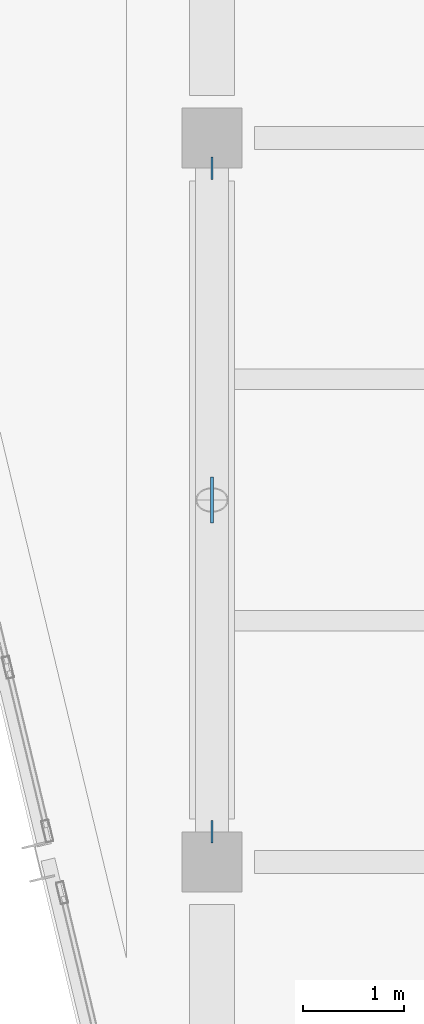
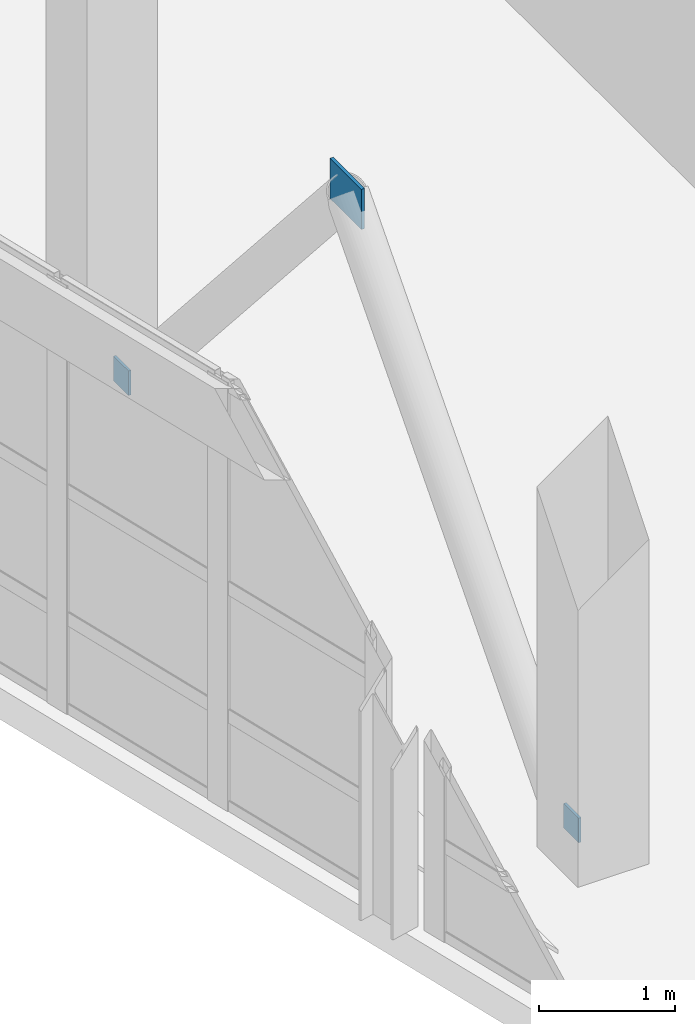
# One storey, part 87 of 123: 3 plates.
"""IFC4 building model written with IfcOpenShell, lengths in metres."""

from ifc_helpers import new_model, si_unit, direction, frame, origin, origin_2d, place, context, subcontext, project, spatial, rectangle, extrude, material, layer, layer_set, type_object, element, save


model = new_model("IFC4")

# Units and contexts
model_context = context("Model", 3, precision=1e-05, world=origin(), true_north=direction((0.0, 1.0)))
body_context = subcontext(model_context, "Body", "Model", "MODEL_VIEW")
ifc_project = project(units=[si_unit("LENGTHUNIT", "METRE"), si_unit("AREAUNIT", "SQUARE_METRE"), si_unit("VOLUMEUNIT", "CUBIC_METRE"), si_unit("PLANEANGLEUNIT", "RADIAN"), si_unit("MASSUNIT", "GRAM", prefix="KILO")], contexts=[model_context])

# Site, building, storey
site_placement = place(None, origin())
site = spatial("IfcSite", under=ifc_project, at=site_placement, CompositionType="ELEMENT")
building_placement = place(site_placement, origin())
building = spatial("IfcBuilding", under=site, at=building_placement, Name="Kalmorath City Hall", CompositionType="ELEMENT")
storey_placement = place(building_placement, frame((0.0, 0.0, 10.199951171875)))
storey = spatial("IfcBuildingStorey", under=building, at=storey_placement, Name="L02", CompositionType="ELEMENT", Elevation=10.199951171875)

# Plates
ifc_material_1 = material(Name="Steel ASTM A572 Grade 50", Category="steel")
ifc_layer_1 = layer(ifc_material_1, 0.02001953125)
ifc_layer_set_1 = layer_set([ifc_layer_1], Name="Steel ASTM A572 Grade 50")
plate_type_1 = type_object("IfcPlateType", Name="Steel HSS end-cap plate 220x220x20", PredefinedType="SHEET", material=ifc_layer_set_1)
for number, where, z_axis, x_axis, name in (
    (1, (136.800048828125, 50.699951171875, 0.0), (0.0, 0.0, 1.0), (0.0, 1.0, 0.0), "L02 brace foot end-plate GP5-31L"),
    (2, (136.800048828125, 57.300048828125, 0.0), (0.0, 0.0, 1.0), (0.0, 1.0, 0.0), "L02 brace foot end-plate GP5-31R"),
):
    element("IfcPlate", number, at=place(storey_placement, frame(where, z_axis=z_axis, x_axis=x_axis)), inside=storey, type_object=plate_type_1, Name=name, PredefinedType="SHEET", context=body_context, shape_type="SweptSolid", body=[
        extrude(rectangle(XDim=0.219970703125, YDim=0.02001953125, at=origin_2d()), origin(), (0.0, 0.0, 1.0), 0.219970703125),
    ])
ifc_material_2 = material(Name="Steel ASTM A572 Grade 50", Category="steel")
ifc_layer_2 = layer(ifc_material_2, 0.028076171875)
ifc_layer_set_2 = layer_set([ifc_layer_2], Name="Steel ASTM A572 Grade 50")
plate_type_2 = type_object("IfcPlateType", Name="Steel truss node gusset plate 460x360x28", PredefinedType="USERDEFINED", material=ifc_layer_set_2)
plate_placement = place(storey_placement, frame((136.800048828125, 54.0, 3.56005859375), z_axis=(0.0, 0.0, 1.0), x_axis=(0.0, 1.0, 0.0)))
element("IfcPlate", 3, at=plate_placement, inside=storey, type_object=plate_type_2, Name="L02 brace gusset plate GP3-31", ObjectType="GUSSET PLATE", PredefinedType="USERDEFINED", context=body_context, shape_type="SweptSolid", body=[
    extrude(rectangle(XDim=0.4599609375, YDim=0.028076171875, at=origin_2d()), origin(), (0.0, 0.0, 1.0), 0.360107421875),
])

save(model, "model.ifc")
